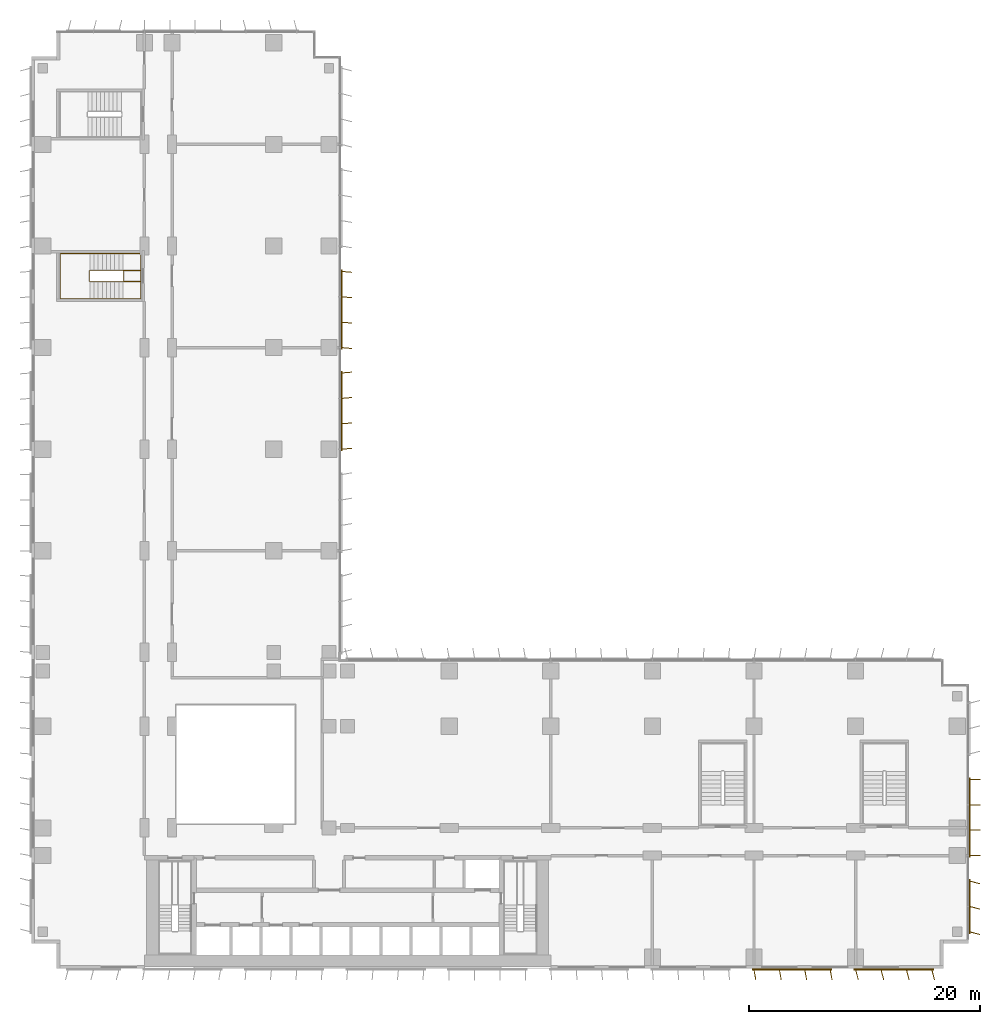
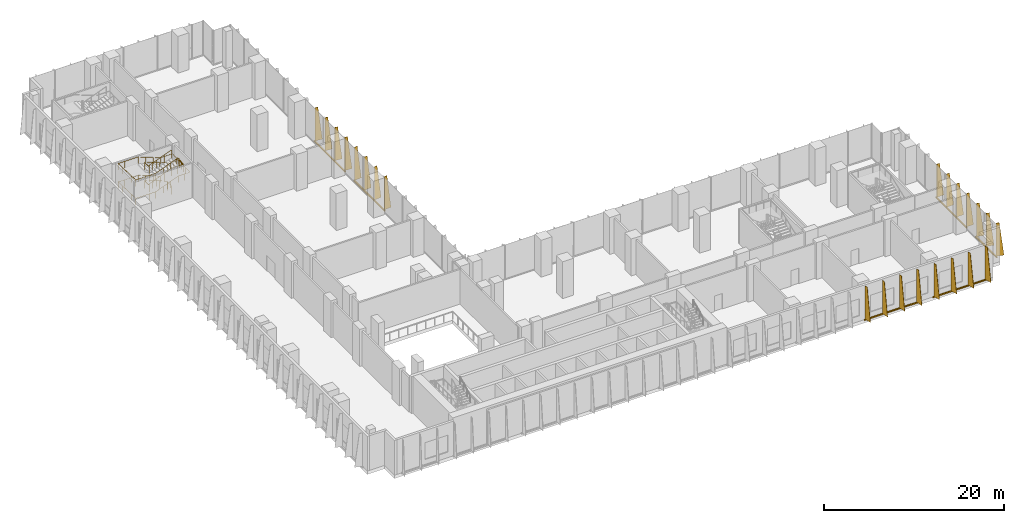
# One storey, part 21 of 23: 6 shading devices, 2 railings.
"""IFC4 building model written with IfcOpenShell, lengths in metres."""

from ifc_helpers import new_model, si_unit, direction, frame, origin, origin_2d, place, context, subcontext, project, spatial, polyline, rectangle, circle, outline, extrude, source, transform, mapped, material, layer, layer_set, type_object, element, save


model = new_model("IFC4")

# Units and contexts
model_context = context("Model", 3, precision=1e-05, world=origin(), true_north=direction((0.0, 1.0)))
body_context = subcontext(model_context, "Body", "Model", "MODEL_VIEW")
ifc_project = project(units=[si_unit("LENGTHUNIT", "METRE"), si_unit("AREAUNIT", "SQUARE_METRE"), si_unit("VOLUMEUNIT", "CUBIC_METRE"), si_unit("PLANEANGLEUNIT", "RADIAN"), si_unit("MASSUNIT", "GRAM", prefix="KILO")], contexts=[model_context])

# Site, building, storey
site_placement = place(None, origin())
site = spatial("IfcSite", under=ifc_project, at=site_placement, CompositionType="ELEMENT")
building_placement = place(site_placement, origin())
building = spatial("IfcBuilding", under=site, at=building_placement, Name="Kemantara Hotel Tower", CompositionType="ELEMENT")
storey_placement = place(building_placement, frame((0.0, 0.0, 71.0)))
storey = spatial("IfcBuildingStorey", under=building, at=storey_placement, Name="L16", CompositionType="ELEMENT", Elevation=71.0)

# Railings
ifc_material_1 = material(Name="Stainless steel balustrade", Category="steel")
railing_type_1 = type_object("IfcRailingType", Name="Stair guard 1100 mm", PredefinedType="GUARDRAIL", material=ifc_material_1)
railing_1_placement = place(storey_placement, frame((7.949951171875, 59.5, 5.0)))
element("IfcRailing", 1, at=railing_1_placement, inside=storey, type_object=railing_type_1, Name="L16 ST4 stair guard 1", PredefinedType="GUARDRAIL", context=body_context, shape_type="SweptSolid", body=[
    extrude(circle(Radius=0.02392578125, at=origin_2d()), frame((0.0, 0.0, 1.076171875), z_axis=(-0.932972064118, 0.0, -0.359948784656), x_axis=(0.0, -1.0, 0.0)), (0.0, 0.0, 1.0), 3.086669921875),
    extrude(circle(Radius=0.02392578125, at=origin_2d()), frame((-2.8798828125, 0.0, -0.03515625), z_axis=(-0.321014310373, 0.321014310373, -0.891010451718), x_axis=(-0.707106781187, -0.707106781187, 0.0)), (0.0, 0.0, 1.0), 0.156005859375),
    extrude(circle(Radius=0.02392578125, at=origin_2d()), frame((-2.929931640625, 0.050048828125, -0.173828125), z_axis=(0.0, 1.0, 0.0), x_axis=(-1.0, 0.0, 0.0)), (0.0, 0.0, 1.0), 0.89990234375),
    extrude(circle(Radius=0.02392578125, at=origin_2d()), frame((-2.929931640625, 0.949951171875, -0.173828125), z_axis=(0.707106781187, 0.707106781187, 0.0), x_axis=(-0.707106781187, 0.707106781187, 0.0)), (0.0, 0.0, 1.0), 0.07080078125),
    extrude(circle(Radius=0.02392578125, at=origin_2d()), frame((-2.8798828125, 1.0, -0.173828125), z_axis=(0.932972064118, 0.0, -0.359948784656), x_axis=(0.0, 1.0, 0.0)), (0.0, 0.0, 1.0), 3.086669921875),
    extrude(circle(Radius=0.02392578125, at=origin_2d()), frame((0.0, 1.0, -1.28515625), z_axis=(1.0, 0.0, 0.0), x_axis=(0.0, 1.0, 0.0)), (0.0, 0.0, 1.0), 1.530029296875),
    extrude(circle(Radius=0.02392578125, at=origin_2d()), frame((1.530029296875, 1.0, -1.28515625), z_axis=(0.0, -0.989476165601, -0.144695949172), x_axis=(1.0, 0.0, 0.0)), (0.0, 0.0, 1.0), 0.9599609375),
    extrude(circle(Radius=0.02392578125, at=origin_2d()), frame((1.530029296875, 0.050048828125, -1.423828125), z_axis=(-1.0, 0.0, 0.0), x_axis=(0.0, -1.0, 0.0)), (0.0, 0.0, 1.0), 1.47998046875),
    extrude(circle(Radius=0.02392578125, at=origin_2d()), frame((0.050048828125, 0.050048828125, -1.423828125), z_axis=(0.0, 1.0, 0.0), x_axis=(-1.0, 0.0, 0.0)), (0.0, 0.0, 1.0), 0.89990234375),
    extrude(circle(Radius=0.02392578125, at=origin_2d()), frame((0.050048828125, 0.949951171875, -1.423828125), z_axis=(1.0, 0.0, 0.0), x_axis=(0.0, 1.0, 0.0)), (0.0, 0.0, 1.0), 1.47998046875),
    extrude(circle(Radius=0.02392578125, at=origin_2d()), frame((1.530029296875, 0.949951171875, -1.423828125), z_axis=(0.0, -1.0, 0.0), x_axis=(1.0, 0.0, 0.0)), (0.0, 0.0, 1.0), 0.949951171875),
    extrude(circle(Radius=0.02392578125, at=origin_2d()), frame((1.530029296875, 0.0, -1.423828125), z_axis=(-1.0, 0.0, 0.0), x_axis=(0.0, -1.0, 0.0)), (0.0, 0.0, 1.0), 1.530029296875),
    extrude(circle(Radius=0.02392578125, at=origin_2d()), frame((0.0, 0.0, -1.423828125), z_axis=(-0.932972064118, 0.0, -0.359948784656), x_axis=(0.0, -1.0, 0.0)), (0.0, 0.0, 1.0), 3.086669921875),
    extrude(circle(Radius=0.02392578125, at=origin_2d()), frame((-2.8798828125, 0.0, -2.53515625), z_axis=(-0.321014310373, 0.321014310373, -0.891010451718), x_axis=(-0.707106781187, -0.707106781187, 0.0)), (0.0, 0.0, 1.0), 0.156005859375),
    extrude(circle(Radius=0.02392578125, at=origin_2d()), frame((-2.929931640625, 0.050048828125, -2.673828125), z_axis=(0.0, 1.0, 0.0), x_axis=(-1.0, 0.0, 0.0)), (0.0, 0.0, 1.0), 0.89990234375),
    extrude(circle(Radius=0.02392578125, at=origin_2d()), frame((-2.929931640625, 0.949951171875, -2.673828125), z_axis=(0.707106781187, 0.707106781187, 0.0), x_axis=(-0.707106781187, 0.707106781187, 0.0)), (0.0, 0.0, 1.0), 0.07080078125),
    extrude(circle(Radius=0.02392578125, at=origin_2d()), frame((-2.8798828125, 1.0, -2.673828125), z_axis=(0.932972064118, 0.0, -0.359948784656), x_axis=(0.0, 1.0, 0.0)), (0.0, 0.0, 1.0), 3.086669921875),
    extrude(circle(Radius=0.02392578125, at=origin_2d()), frame((0.0, 1.0, -3.78515625), z_axis=(0.321014310373, -0.321014310373, -0.891010451718), x_axis=(0.707106781187, 0.707106781187, 0.0)), (0.0, 0.0, 1.0), 0.156005859375),
    extrude(circle(Radius=0.02392578125, at=origin_2d()), frame((0.050048828125, 0.949951171875, -3.923828125), z_axis=(0.0, -1.0, 0.0), x_axis=(1.0, 0.0, 0.0)), (0.0, 0.0, 1.0), 0.89990234375),
    extrude(circle(Radius=0.02099609375, at=origin_2d()), origin(), (0.0, 0.0, 1.0), 1.052001953125),
    extrude(circle(Radius=0.02099609375, at=origin_2d()), frame((-0.9599609375, 0.0, -0.370361328125)), (0.0, 0.0, 1.0), 1.052001953125),
    extrude(circle(Radius=0.02099609375, at=origin_2d()), frame((-1.919921875, 0.0, -0.74072265625)), (0.0, 0.0, 1.0), 1.052001953125),
    extrude(circle(Radius=0.02099609375, at=origin_2d()), frame((-2.8798828125, 0.0, -1.111083984375)), (0.0, 0.0, 1.0), 1.052001953125),
    extrude(circle(Radius=0.02099609375, at=origin_2d()), frame((-2.929931640625, 0.050048828125, -1.25)), (0.0, 0.0, 1.0), 1.052001953125),
    extrude(circle(Radius=0.02099609375, at=origin_2d()), frame((-2.929931640625, 0.949951171875, -1.25)), (0.0, 0.0, 1.0), 1.052001953125),
    extrude(circle(Radius=0.02099609375, at=origin_2d()), frame((-2.8798828125, 1.0, -1.25)), (0.0, 0.0, 1.0), 1.052001953125),
    extrude(circle(Radius=0.02099609375, at=origin_2d()), frame((-1.919921875, 1.0, -1.620361328125)), (0.0, 0.0, 1.0), 1.052001953125),
    extrude(circle(Radius=0.02099609375, at=origin_2d()), frame((-0.9599609375, 1.0, -1.99072265625)), (0.0, 0.0, 1.0), 1.052001953125),
    extrude(circle(Radius=0.02099609375, at=origin_2d()), frame((0.0, 1.0, -2.361083984375)), (0.0, 0.0, 1.0), 1.052001953125),
    extrude(circle(Radius=0.02099609375, at=origin_2d()), frame((0.76513671875, 1.0, -2.361083984375)), (0.0, 0.0, 1.0), 1.052001953125),
    extrude(circle(Radius=0.02099609375, at=origin_2d()), frame((1.530029296875, 1.0, -2.361083984375)), (0.0, 0.0, 1.0), 1.052001953125),
    extrude(circle(Radius=0.02099609375, at=origin_2d()), frame((1.530029296875, 0.050048828125, -2.5)), (0.0, 0.0, 1.0), 1.052001953125),
    extrude(circle(Radius=0.02099609375, at=origin_2d()), frame((0.7900390625, 0.050048828125, -2.5)), (0.0, 0.0, 1.0), 1.052001953125),
    extrude(circle(Radius=0.02099609375, at=origin_2d()), frame((0.050048828125, 0.050048828125, -2.5)), (0.0, 0.0, 1.0), 1.052001953125),
    extrude(circle(Radius=0.02099609375, at=origin_2d()), frame((0.050048828125, 0.949951171875, -2.5)), (0.0, 0.0, 1.0), 1.052001953125),
    extrude(circle(Radius=0.02099609375, at=origin_2d()), frame((0.7900390625, 0.949951171875, -2.5)), (0.0, 0.0, 1.0), 1.052001953125),
    extrude(circle(Radius=0.02099609375, at=origin_2d()), frame((1.530029296875, 0.949951171875, -2.5)), (0.0, 0.0, 1.0), 1.052001953125),
    extrude(circle(Radius=0.02099609375, at=origin_2d()), frame((1.530029296875, 0.0, -2.5)), (0.0, 0.0, 1.0), 1.052001953125),
    extrude(circle(Radius=0.02099609375, at=origin_2d()), frame((0.76513671875, 0.0, -2.5)), (0.0, 0.0, 1.0), 1.052001953125),
    extrude(circle(Radius=0.02099609375, at=origin_2d()), frame((0.0, 0.0, -2.5)), (0.0, 0.0, 1.0), 1.052001953125),
    extrude(circle(Radius=0.02099609375, at=origin_2d()), frame((-0.9599609375, 0.0, -2.870361328125)), (0.0, 0.0, 1.0), 1.052001953125),
    extrude(circle(Radius=0.02099609375, at=origin_2d()), frame((-1.919921875, 0.0, -3.24072265625)), (0.0, 0.0, 1.0), 1.052001953125),
    extrude(circle(Radius=0.02099609375, at=origin_2d()), frame((-2.8798828125, 0.0, -3.611083984375)), (0.0, 0.0, 1.0), 1.052001953125),
    extrude(circle(Radius=0.02099609375, at=origin_2d()), frame((-2.929931640625, 0.050048828125, -3.75)), (0.0, 0.0, 1.0), 1.052001953125),
    extrude(circle(Radius=0.02099609375, at=origin_2d()), frame((-2.929931640625, 0.949951171875, -3.75)), (0.0, 0.0, 1.0), 1.052001953125),
    extrude(circle(Radius=0.02099609375, at=origin_2d()), frame((-2.8798828125, 1.0, -3.75)), (0.0, 0.0, 1.0), 1.052001953125),
    extrude(circle(Radius=0.02099609375, at=origin_2d()), frame((-1.919921875, 1.0, -4.120361328125)), (0.0, 0.0, 1.0), 1.052001953125),
    extrude(circle(Radius=0.02099609375, at=origin_2d()), frame((-0.9599609375, 1.0, -4.49072265625)), (0.0, 0.0, 1.0), 1.052001953125),
    extrude(circle(Radius=0.02099609375, at=origin_2d()), frame((0.0, 1.0, -4.861083984375)), (0.0, 0.0, 1.0), 1.052001953125),
    extrude(circle(Radius=0.02099609375, at=origin_2d()), frame((0.050048828125, 0.949951171875, -5.0)), (0.0, 0.0, 1.0), 1.052001953125),
    extrude(circle(Radius=0.02099609375, at=origin_2d()), frame((0.050048828125, 0.050048828125, -5.0)), (0.0, 0.0, 1.0), 1.052001953125),
])
railing_type_2 = type_object("IfcRailingType", Name="Stair handrail 900 mm", PredefinedType="HANDRAIL", material=ifc_material_1)
railing_2_placement = place(storey_placement, frame((7.949951171875, 61.949951171875, 0.138916015625)))
element("IfcRailing", 2, at=railing_2_placement, inside=storey, type_object=railing_type_2, Name="L16 ST4 stair handrail 1", PredefinedType="HANDRAIL", context=body_context, shape_type="SweptSolid", body=[
    extrude(circle(Radius=0.02392578125, at=origin_2d()), frame((0.0, 0.0, 0.8759765625), z_axis=(-0.932972064118, 0.0, 0.359948784656), x_axis=(0.0, -1.0, 0.0)), (0.0, 0.0, 1.0), 3.086669921875),
    extrude(circle(Radius=0.02392578125, at=origin_2d()), frame((-2.8798828125, 0.0, 1.98681640625), z_axis=(-1.0, 0.0, 0.0), x_axis=(0.0, -1.0, 0.0)), (0.0, 0.0, 1.0), 2.550048828125),
    extrude(circle(Radius=0.02392578125, at=origin_2d()), frame((-5.429931640625, 0.0, 1.98681640625), z_axis=(0.0, -0.999366197222, 0.035597806825), x_axis=(1.0, 0.0, 0.0)), (0.0, 0.0, 1.0), 3.90234375),
    extrude(circle(Radius=0.02392578125, at=origin_2d()), frame((-5.429931640625, -3.89990234375, 2.1259765625), z_axis=(1.0, 0.0, 0.0), x_axis=(0.0, 1.0, 0.0)), (0.0, 0.0, 1.0), 2.550048828125),
    extrude(circle(Radius=0.02392578125, at=origin_2d()), frame((-2.8798828125, -3.89990234375, 2.1259765625), z_axis=(0.932972064118, 0.0, 0.359948784656), x_axis=(0.0, 1.0, 0.0)), (0.0, 0.0, 1.0), 3.086669921875),
    extrude(circle(Radius=0.02392578125, at=origin_2d()), frame((0.0, -3.89990234375, 3.23681640625), z_axis=(1.0, 0.0, 0.0), x_axis=(0.0, 1.0, 0.0)), (0.0, 0.0, 1.0), 1.530029296875),
    extrude(circle(Radius=0.02392578125, at=origin_2d()), frame((1.530029296875, -3.89990234375, 3.23681640625), z_axis=(0.0, 0.999366197222, 0.035597806825), x_axis=(-1.0, 0.0, 0.0)), (0.0, 0.0, 1.0), 3.90234375),
    extrude(circle(Radius=0.02392578125, at=origin_2d()), frame((1.530029296875, 0.0, 3.3759765625), z_axis=(-1.0, 0.0, 0.0), x_axis=(0.0, -1.0, 0.0)), (0.0, 0.0, 1.0), 1.530029296875),
    extrude(circle(Radius=0.02392578125, at=origin_2d()), frame((0.0, 0.0, 3.3759765625), z_axis=(-0.932972064118, 0.0, 0.359948784656), x_axis=(0.0, -1.0, 0.0)), (0.0, 0.0, 1.0), 3.086669921875),
    extrude(circle(Radius=0.02392578125, at=origin_2d()), frame((-2.8798828125, 0.0, 4.48681640625), z_axis=(-1.0, 0.0, 0.0), x_axis=(0.0, -1.0, 0.0)), (0.0, 0.0, 1.0), 2.550048828125),
    extrude(circle(Radius=0.02392578125, at=origin_2d()), frame((-5.429931640625, 0.0, 4.48681640625), z_axis=(0.0, -0.999366197222, 0.035597806825), x_axis=(1.0, 0.0, 0.0)), (0.0, 0.0, 1.0), 3.90234375),
    extrude(circle(Radius=0.02392578125, at=origin_2d()), frame((-5.429931640625, -3.89990234375, 4.6259765625), z_axis=(1.0, 0.0, 0.0), x_axis=(0.0, 1.0, 0.0)), (0.0, 0.0, 1.0), 2.550048828125),
    extrude(circle(Radius=0.02392578125, at=origin_2d()), frame((-2.8798828125, -3.89990234375, 4.6259765625), z_axis=(0.932972064118, 0.0, 0.359948784656), x_axis=(0.0, 1.0, 0.0)), (0.0, 0.0, 1.0), 3.086669921875),
    extrude(circle(Radius=0.02099609375, at=origin_2d()), origin(), (0.0, 0.0, 1.0), 0.851806640625),
    extrude(circle(Radius=0.02099609375, at=origin_2d()), frame((-0.9599609375, 0.0, 0.370361328125)), (0.0, 0.0, 1.0), 0.851806640625),
    extrude(circle(Radius=0.02099609375, at=origin_2d()), frame((-1.919921875, 0.0, 0.74072265625)), (0.0, 0.0, 1.0), 0.851806640625),
    extrude(circle(Radius=0.02099609375, at=origin_2d()), frame((-2.8798828125, 0.0, 1.111083984375)), (0.0, 0.0, 1.0), 0.851806640625),
    extrude(circle(Radius=0.02099609375, at=origin_2d()), frame((-3.72998046875, 0.0, 1.111083984375)), (0.0, 0.0, 1.0), 0.851806640625),
    extrude(circle(Radius=0.02099609375, at=origin_2d()), frame((-4.579833984375, 0.0, 1.111083984375)), (0.0, 0.0, 1.0), 0.851806640625),
    extrude(circle(Radius=0.02099609375, at=origin_2d()), frame((-5.429931640625, 0.0, 1.111083984375)), (0.0, 0.0, 1.0), 0.851806640625),
    extrude(circle(Radius=0.02099609375, at=origin_2d()), frame((-5.429931640625, -0.97509765625, 1.145751953125)), (0.0, 0.0, 1.0), 0.851806640625),
    extrude(circle(Radius=0.02099609375, at=origin_2d()), frame((-5.429931640625, -1.949951171875, 1.1806640625)), (0.0, 0.0, 1.0), 0.851806640625),
    extrude(circle(Radius=0.02099609375, at=origin_2d()), frame((-5.429931640625, -2.9248046875, 1.21533203125)), (0.0, 0.0, 1.0), 0.851806640625),
    extrude(circle(Radius=0.02099609375, at=origin_2d()), frame((-5.429931640625, -3.89990234375, 1.25)), (0.0, 0.0, 1.0), 0.851806640625),
    extrude(circle(Radius=0.02099609375, at=origin_2d()), frame((-4.579833984375, -3.89990234375, 1.25)), (0.0, 0.0, 1.0), 0.851806640625),
    extrude(circle(Radius=0.02099609375, at=origin_2d()), frame((-3.72998046875, -3.89990234375, 1.25)), (0.0, 0.0, 1.0), 0.851806640625),
    extrude(circle(Radius=0.02099609375, at=origin_2d()), frame((-2.8798828125, -3.89990234375, 1.25)), (0.0, 0.0, 1.0), 0.851806640625),
    extrude(circle(Radius=0.02099609375, at=origin_2d()), frame((-1.919921875, -3.89990234375, 1.620361328125)), (0.0, 0.0, 1.0), 0.851806640625),
    extrude(circle(Radius=0.02099609375, at=origin_2d()), frame((-0.9599609375, -3.89990234375, 1.99072265625)), (0.0, 0.0, 1.0), 0.851806640625),
    extrude(circle(Radius=0.02099609375, at=origin_2d()), frame((0.0, -3.89990234375, 2.361083984375)), (0.0, 0.0, 1.0), 0.851806640625),
    extrude(circle(Radius=0.02099609375, at=origin_2d()), frame((0.76513671875, -3.89990234375, 2.361083984375)), (0.0, 0.0, 1.0), 0.851806640625),
    extrude(circle(Radius=0.02099609375, at=origin_2d()), frame((1.530029296875, -3.89990234375, 2.361083984375)), (0.0, 0.0, 1.0), 0.851806640625),
    extrude(circle(Radius=0.02099609375, at=origin_2d()), frame((1.530029296875, -2.9248046875, 2.395751953125)), (0.0, 0.0, 1.0), 0.851806640625),
    extrude(circle(Radius=0.02099609375, at=origin_2d()), frame((1.530029296875, -1.949951171875, 2.4306640625)), (0.0, 0.0, 1.0), 0.851806640625),
    extrude(circle(Radius=0.02099609375, at=origin_2d()), frame((1.530029296875, -0.97509765625, 2.46533203125)), (0.0, 0.0, 1.0), 0.851806640625),
    extrude(circle(Radius=0.02099609375, at=origin_2d()), frame((1.530029296875, 0.0, 2.5)), (0.0, 0.0, 1.0), 0.851806640625),
    extrude(circle(Radius=0.02099609375, at=origin_2d()), frame((0.76513671875, 0.0, 2.5)), (0.0, 0.0, 1.0), 0.851806640625),
    extrude(circle(Radius=0.02099609375, at=origin_2d()), frame((0.0, 0.0, 2.5)), (0.0, 0.0, 1.0), 0.851806640625),
    extrude(circle(Radius=0.02099609375, at=origin_2d()), frame((-0.9599609375, 0.0, 2.870361328125)), (0.0, 0.0, 1.0), 0.851806640625),
    extrude(circle(Radius=0.02099609375, at=origin_2d()), frame((-1.919921875, 0.0, 3.24072265625)), (0.0, 0.0, 1.0), 0.851806640625),
    extrude(circle(Radius=0.02099609375, at=origin_2d()), frame((-2.8798828125, 0.0, 3.611083984375)), (0.0, 0.0, 1.0), 0.851806640625),
    extrude(circle(Radius=0.02099609375, at=origin_2d()), frame((-3.72998046875, 0.0, 3.611083984375)), (0.0, 0.0, 1.0), 0.851806640625),
    extrude(circle(Radius=0.02099609375, at=origin_2d()), frame((-4.579833984375, 0.0, 3.611083984375)), (0.0, 0.0, 1.0), 0.851806640625),
    extrude(circle(Radius=0.02099609375, at=origin_2d()), frame((-5.429931640625, 0.0, 3.611083984375)), (0.0, 0.0, 1.0), 0.851806640625),
    extrude(circle(Radius=0.02099609375, at=origin_2d()), frame((-5.429931640625, -0.97509765625, 3.645751953125)), (0.0, 0.0, 1.0), 0.851806640625),
    extrude(circle(Radius=0.02099609375, at=origin_2d()), frame((-5.429931640625, -1.949951171875, 3.6806640625)), (0.0, 0.0, 1.0), 0.851806640625),
    extrude(circle(Radius=0.02099609375, at=origin_2d()), frame((-5.429931640625, -2.9248046875, 3.71533203125)), (0.0, 0.0, 1.0), 0.851806640625),
    extrude(circle(Radius=0.02099609375, at=origin_2d()), frame((-5.429931640625, -3.89990234375, 3.75)), (0.0, 0.0, 1.0), 0.851806640625),
    extrude(circle(Radius=0.02099609375, at=origin_2d()), frame((-4.579833984375, -3.89990234375, 3.75)), (0.0, 0.0, 1.0), 0.851806640625),
    extrude(circle(Radius=0.02099609375, at=origin_2d()), frame((-3.72998046875, -3.89990234375, 3.75)), (0.0, 0.0, 1.0), 0.851806640625),
    extrude(circle(Radius=0.02099609375, at=origin_2d()), frame((-2.8798828125, -3.89990234375, 3.75)), (0.0, 0.0, 1.0), 0.851806640625),
    extrude(circle(Radius=0.02099609375, at=origin_2d()), frame((-1.919921875, -3.89990234375, 4.120361328125)), (0.0, 0.0, 1.0), 0.851806640625),
    extrude(circle(Radius=0.02099609375, at=origin_2d()), frame((-0.9599609375, -3.89990234375, 4.49072265625)), (0.0, 0.0, 1.0), 0.851806640625),
    extrude(circle(Radius=0.02099609375, at=origin_2d()), frame((0.0, -3.89990234375, 4.861083984375)), (0.0, 0.0, 1.0), 0.851806640625),
])

# Shading devices
ifc_material_2 = material(Name="Perforated aluminium plate 4 mm bronze anodised", Category="aluminium")
ifc_layer_1 = layer(ifc_material_2, 0.0400390625)
ifc_layer_set_1 = layer_set([ifc_layer_1], Name="Perforated aluminium plate 4 mm bronze anodised")
shading_device_type_1 = type_object("IfcShadingDeviceType", Name="SCREEN FIN CASSETTE, 3 BLADES AT -15.0 DEG, 4500 HIGH", PredefinedType="USERDEFINED", material=ifc_layer_set_1)
shared_shape_1 = source(origin(), body_context, "Body", "SweptSolid", [
    extrude(rectangle(XDim=4.699951171875, YDim=0.14990234375, at=origin_2d()), frame((2.199951171875, -0.074951171875, -0.14990234375), z_axis=(0.0, 0.0, 1.0), x_axis=(1.0, 0.0, 0.0)), (0.0, 0.0, 1.0), 0.14990234375),
    extrude(outline(polyline([(0.0, 0.0), (0.89990234375, 0.0), (0.35009765625, 4.5), (0.0, 4.5), (0.0, 0.0)])), frame((0.019287109375, -0.080078125, 0.0), z_axis=(-0.966437683387, 0.256901156343, 0.0), x_axis=(-0.256901156343, -0.966437683387, 0.0)), (0.0, 0.0, 1.0), 0.039794921875),
    extrude(outline(polyline([(0.0, 0.0), (0.89990234375, 0.0), (0.35009765625, 4.5), (0.0, 4.5), (0.0, 0.0)])), frame((2.21923828125, -0.080078125, 0.0), z_axis=(-0.966437683387, 0.256901156343, 0.0), x_axis=(-0.256901156343, -0.966437683387, 0.0)), (0.0, 0.0, 1.0), 0.039794921875),
    extrude(outline(polyline([(0.0, 0.0), (0.89990234375, 0.0), (0.35009765625, 4.5), (0.0, 4.5), (0.0, 0.0)])), frame((4.41943359375, -0.080078125, 0.0), z_axis=(-0.966837822169, 0.255391122837, 0.0), x_axis=(-0.255391122837, -0.966837822169, 0.0)), (0.0, 0.0, 1.0), 0.0400390625),
])
shading_device_1_placement = place(storey_placement, frame((81.199951171875, 3.199951171875, 0.10009765625), z_axis=(0.0, 0.0, 1.0), x_axis=(0.0, 1.0, 0.0)))
element("IfcShadingDevice", 3, at=shading_device_1_placement, inside=storey, type_object=shading_device_type_1, Name="SCREEN FIN CASSETTE L16 T1-R04-1", ObjectType="SCREEN FIN", PredefinedType="USERDEFINED", context=body_context, shape_type="MappedRepresentation", body=[
    mapped(shared_shape_1, transform((0.0, 0.0, 0.0))),
])
ifc_layer_2 = layer(ifc_material_2, 0.0400390625)
ifc_layer_set_2 = layer_set([ifc_layer_2], Name="Perforated aluminium plate 4 mm bronze anodised")
shading_device_type_2 = type_object("IfcShadingDeviceType", Name="SCREEN FIN CASSETTE, 4 BLADES AT -5.0 DEG, 4500 HIGH", PredefinedType="USERDEFINED", material=ifc_layer_set_2)
shared_shape_2 = source(origin(), body_context, "Body", "SweptSolid", [
    extrude(rectangle(XDim=6.89990234375, YDim=0.14990234375, at=origin_2d()), frame((3.300048828125, -0.074951171875, -0.14990234375), z_axis=(0.0, 0.0, 1.0), x_axis=(1.0, 0.0, 0.0)), (0.0, 0.0, 1.0), 0.14990234375),
    extrude(outline(polyline([(0.0, 0.0), (0.89990234375, 0.0), (0.35009765625, 4.5), (0.0, 4.5), (0.0, 0.0)])), frame((0.02001953125, -0.07666015625, 0.0), z_axis=(-0.996376129781, 0.085056498884, 0.0), x_axis=(-0.085056498884, -0.996376129781, 0.0)), (0.0, 0.0, 1.0), 0.040283203125),
    extrude(outline(polyline([(0.0, 0.0), (0.89990234375, 0.0), (0.35009765625, 4.5), (0.0, 4.5), (0.0, 0.0)])), frame((2.219970703125, -0.07666015625, 0.0), z_axis=(-0.996331773833, 0.085574508182, 0.0), x_axis=(-0.085574508182, -0.996331773833, 0.0)), (0.0, 0.0, 1.0), 0.0400390625),
    extrude(outline(polyline([(0.0, 0.0), (0.89990234375, 0.0), (0.35009765625, 4.5), (0.0, 4.5), (0.0, 0.0)])), frame((4.419921875, -0.07666015625, 0.0), z_axis=(-0.996331773833, 0.085574508182, 0.0), x_axis=(-0.085574508182, -0.996331773833, 0.0)), (0.0, 0.0, 1.0), 0.0400390625),
    extrude(outline(polyline([(0.0, 0.0), (0.89990234375, 0.0), (0.35009765625, 4.5), (0.0, 4.5), (0.0, 0.0)])), frame((6.619873046875, -0.07666015625, 0.0), z_axis=(-0.996331773833, 0.085574508182, 0.0), x_axis=(-0.085574508182, -0.996331773833, 0.0)), (0.0, 0.0, 1.0), 0.0400390625),
])
shading_device_2_placement = place(storey_placement, frame((26.800048828125, 53.800048828125, 0.10009765625), z_axis=(0.0, 0.0, 1.0), x_axis=(0.0, 1.0, 0.0)))
element("IfcShadingDevice", 4, at=shading_device_2_placement, inside=storey, type_object=shading_device_type_2, Name="SCREEN FIN CASSETTE L16 T1-R08-4", ObjectType="SCREEN FIN", PredefinedType="USERDEFINED", context=body_context, shape_type="MappedRepresentation", body=[
    mapped(shared_shape_2, transform((0.0, 0.0, 0.0))),
])
ifc_layer_3 = layer(ifc_material_2, 0.0400390625)
ifc_layer_set_3 = layer_set([ifc_layer_3], Name="Perforated aluminium plate 4 mm bronze anodised")
shading_device_type_3 = type_object("IfcShadingDeviceType", Name="SCREEN FIN CASSETTE, 4 BLADES AT +0.0 DEG, 4500 HIGH", PredefinedType="USERDEFINED", material=ifc_layer_set_3)
shared_shape_3 = source(origin(), body_context, "Body", "SweptSolid", [
    extrude(rectangle(XDim=6.89990234375, YDim=0.14990234375, at=origin_2d()), frame((3.300048828125, -0.074951171875, -0.14990234375), z_axis=(0.0, 0.0, 1.0), x_axis=(1.0, 0.0, 0.0)), (0.0, 0.0, 1.0), 0.14990234375),
    extrude(outline(polyline([(0.0, 0.0), (0.89990234375, 0.0), (0.35009765625, 4.5), (0.0, 4.5), (0.0, 0.0)])), frame((0.02001953125, -0.074951171875, 0.0), z_axis=(-1.0, 0.0, 0.0), x_axis=(0.0, -1.0, 0.0)), (0.0, 0.0, 1.0), 0.0400390625),
    extrude(outline(polyline([(0.0, 0.0), (0.89990234375, 0.0), (0.35009765625, 4.5), (0.0, 4.5), (0.0, 0.0)])), frame((2.219970703125, -0.074951171875, 0.0), z_axis=(-1.0, 0.0, 0.0), x_axis=(0.0, -1.0, 0.0)), (0.0, 0.0, 1.0), 0.0400390625),
    extrude(outline(polyline([(0.0, 0.0), (0.89990234375, 0.0), (0.35009765625, 4.5), (0.0, 4.5), (0.0, 0.0)])), frame((4.419921875, -0.074951171875, 0.0), z_axis=(-1.0, 0.0, 0.0), x_axis=(0.0, -1.0, 0.0)), (0.0, 0.0, 1.0), 0.0400390625),
    extrude(outline(polyline([(0.0, 0.0), (0.89990234375, 0.0), (0.35009765625, 4.5), (0.0, 4.5), (0.0, 0.0)])), frame((6.6201171875, -0.074951171875, 0.0), z_axis=(-1.0, 0.0, 0.0), x_axis=(0.0, -1.0, 0.0)), (0.0, 0.0, 1.0), 0.0400390625),
])
shading_device_3_placement = place(storey_placement, frame((81.199951171875, 9.800048828125, 0.10009765625), z_axis=(0.0, 0.0, 1.0), x_axis=(0.0, 1.0, 0.0)))
element("IfcShadingDevice", 5, at=shading_device_3_placement, inside=storey, type_object=shading_device_type_3, Name="SCREEN FIN CASSETTE L16 T1-R04-2", ObjectType="SCREEN FIN", PredefinedType="USERDEFINED", context=body_context, shape_type="MappedRepresentation", body=[
    mapped(shared_shape_3, transform((0.0, 0.0, 0.0))),
])
ifc_layer_4 = layer(ifc_material_2, 0.0400390625)
ifc_layer_set_4 = layer_set([ifc_layer_4], Name="Perforated aluminium plate 4 mm bronze anodised")
shading_device_type_4 = type_object("IfcShadingDeviceType", Name="SCREEN FIN CASSETTE, 4 BLADES AT +5.0 DEG, 4500 HIGH", PredefinedType="USERDEFINED", material=ifc_layer_set_4)
shared_shape_4 = source(origin(), body_context, "Body", "SweptSolid", [
    extrude(rectangle(XDim=6.89990234375, YDim=0.14990234375, at=origin_2d()), frame((3.300048828125, -0.074951171875, -0.14990234375), z_axis=(0.0, 0.0, 1.0), x_axis=(1.0, 0.0, 0.0)), (0.0, 0.0, 1.0), 0.14990234375),
    extrude(outline(polyline([(0.0, 0.0), (0.89990234375, 0.0), (0.35009765625, 4.5), (0.0, 4.5), (0.0, 0.0)])), frame((0.02001953125, -0.0732421875, 0.0), z_axis=(-0.996376129781, -0.085056498884, 0.0), x_axis=(0.085056498884, -0.996376129781, 0.0)), (0.0, 0.0, 1.0), 0.040283203125),
    extrude(outline(polyline([(0.0, 0.0), (0.89990234375, 0.0), (0.35009765625, 4.5), (0.0, 4.5), (0.0, 0.0)])), frame((2.219970703125, -0.0732421875, 0.0), z_axis=(-0.996331773833, -0.085574508182, 0.0), x_axis=(0.085574508182, -0.996331773833, 0.0)), (0.0, 0.0, 1.0), 0.0400390625),
    extrude(outline(polyline([(0.0, 0.0), (0.89990234375, 0.0), (0.35009765625, 4.5), (0.0, 4.5), (0.0, 0.0)])), frame((4.419921875, -0.0732421875, 0.0), z_axis=(-0.996331773833, -0.085574508182, 0.0), x_axis=(0.085574508182, -0.996331773833, 0.0)), (0.0, 0.0, 1.0), 0.0400390625),
    extrude(outline(polyline([(0.0, 0.0), (0.89990234375, 0.0), (0.35009765625, 4.5), (0.0, 4.5), (0.0, 0.0)])), frame((6.619873046875, -0.0732421875, 0.0), z_axis=(-0.996331773833, -0.085574508182, 0.0), x_axis=(0.085574508182, -0.996331773833, 0.0)), (0.0, 0.0, 1.0), 0.0400390625),
])
shading_device_4_placement = place(storey_placement, frame((26.800048828125, 45.0, 0.10009765625), z_axis=(0.0, 0.0, 1.0), x_axis=(0.0, 1.0, 0.0)))
element("IfcShadingDevice", 6, at=shading_device_4_placement, inside=storey, type_object=shading_device_type_4, Name="SCREEN FIN CASSETTE L16 T1-R08-3", ObjectType="SCREEN FIN", PredefinedType="USERDEFINED", context=body_context, shape_type="MappedRepresentation", body=[
    mapped(shared_shape_4, transform((0.0, 0.0, 0.0))),
])
ifc_layer_5 = layer(ifc_material_2, 0.0400390625)
ifc_layer_set_5 = layer_set([ifc_layer_5], Name="Perforated aluminium plate 4 mm bronze anodised")
shading_device_type_5 = type_object("IfcShadingDeviceType", Name="SCREEN FIN CASSETTE, 4 BLADES AT +10.0 DEG, 4500 HIGH", PredefinedType="USERDEFINED", material=ifc_layer_set_5)
shared_shape_5 = source(origin(), body_context, "Body", "SweptSolid", [
    extrude(rectangle(XDim=6.89990234375, YDim=0.14990234375, at=origin_2d()), frame((3.300048828125, -0.074951171875, -0.14990234375), z_axis=(0.0, 0.0, 1.0), x_axis=(1.0, 0.0, 0.0)), (0.0, 0.0, 1.0), 0.14990234375),
    extrude(outline(polyline([(0.0, 0.0), (0.89990234375, 0.0), (0.35009765625, 4.5), (0.0, 4.5), (0.0, 0.0)])), frame((0.019775390625, -0.071533203125, 0.0), z_axis=(-0.985389793052, -0.170314285219, 0.0), x_axis=(0.170314285219, -0.985389793052, 0.0)), (0.0, 0.0, 1.0), 0.0400390625),
    extrude(outline(polyline([(0.0, 0.0), (0.89990234375, 0.0), (0.35009765625, 4.5), (0.0, 4.5), (0.0, 0.0)])), frame((2.2197265625, -0.071533203125, 0.0), z_axis=(-0.98521175482, -0.171341174751, 0.0), x_axis=(0.171341174751, -0.98521175482, 0.0)), (0.0, 0.0, 1.0), 0.039794921875),
    extrude(outline(polyline([(0.0, 0.0), (0.89990234375, 0.0), (0.35009765625, 4.5), (0.0, 4.5), (0.0, 0.0)])), frame((4.419677734375, -0.071533203125, 0.0), z_axis=(-0.98521175482, -0.171341174751, 0.0), x_axis=(0.171341174751, -0.98521175482, 0.0)), (0.0, 0.0, 1.0), 0.039794921875),
    extrude(outline(polyline([(0.0, 0.0), (0.89990234375, 0.0), (0.35009765625, 4.5), (0.0, 4.5), (0.0, 0.0)])), frame((6.61962890625, -0.071533203125, 0.0), z_axis=(-0.98521175482, -0.171341174751, 0.0), x_axis=(0.171341174751, -0.98521175482, 0.0)), (0.0, 0.0, 1.0), 0.039794921875),
])
shading_device_5_placement = place(storey_placement, frame((62.60009765625, 0.0, 0.10009765625), z_axis=(0.0, 0.0, 1.0), x_axis=(1.0, 0.0, 0.0)))
element("IfcShadingDevice", 7, at=shading_device_5_placement, inside=storey, type_object=shading_device_type_5, Name="SCREEN FIN CASSETTE L16 T1-R01-8", ObjectType="SCREEN FIN", PredefinedType="USERDEFINED", context=body_context, shape_type="MappedRepresentation", body=[
    mapped(shared_shape_5, transform((0.0, 0.0, 0.0))),
])
ifc_layer_6 = layer(ifc_material_2, 0.0400390625)
ifc_layer_set_6 = layer_set([ifc_layer_6], Name="Perforated aluminium plate 4 mm bronze anodised")
shading_device_type_6 = type_object("IfcShadingDeviceType", Name="SCREEN FIN CASSETTE, 4 BLADES AT +15.0 DEG, 4500 HIGH", PredefinedType="USERDEFINED", material=ifc_layer_set_6)
shared_shape_6 = source(origin(), body_context, "Body", "SweptSolid", [
    extrude(rectangle(XDim=6.89990234375, YDim=0.14990234375, at=origin_2d()), frame((3.300048828125, -0.074951171875, -0.14990234375), z_axis=(0.0, 0.0, 1.0), x_axis=(1.0, 0.0, 0.0)), (0.0, 0.0, 1.0), 0.14990234375),
    extrude(outline(polyline([(0.0, 0.0), (0.89990234375, 0.0), (0.35009765625, 4.5), (0.0, 4.5), (0.0, 0.0)])), frame((0.019287109375, -0.06982421875, 0.0), z_axis=(-0.966437683387, -0.256901156343, 0.0), x_axis=(0.256901156343, -0.966437683387, 0.0)), (0.0, 0.0, 1.0), 0.039794921875),
    extrude(outline(polyline([(0.0, 0.0), (0.89990234375, 0.0), (0.35009765625, 4.5), (0.0, 4.5), (0.0, 0.0)])), frame((2.21923828125, -0.06982421875, 0.0), z_axis=(-0.966437683387, -0.256901156343, 0.0), x_axis=(0.256901156343, -0.966437683387, 0.0)), (0.0, 0.0, 1.0), 0.039794921875),
    extrude(outline(polyline([(0.0, 0.0), (0.89990234375, 0.0), (0.35009765625, 4.5), (0.0, 4.5), (0.0, 0.0)])), frame((4.41943359375, -0.06982421875, 0.0), z_axis=(-0.966837822169, -0.255391122837, 0.0), x_axis=(0.255391122837, -0.966837822169, 0.0)), (0.0, 0.0, 1.0), 0.0400390625),
    extrude(outline(polyline([(0.0, 0.0), (0.89990234375, 0.0), (0.35009765625, 4.5), (0.0, 4.5), (0.0, 0.0)])), frame((6.619384765625, -0.06982421875, 0.0), z_axis=(-0.966837822169, -0.255391122837, 0.0), x_axis=(0.255391122837, -0.966837822169, 0.0)), (0.0, 0.0, 1.0), 0.0400390625),
])
shading_device_6_placement = place(storey_placement, frame((71.39990234375, 0.0, 0.10009765625), z_axis=(0.0, 0.0, 1.0), x_axis=(1.0, 0.0, 0.0)))
element("IfcShadingDevice", 8, at=shading_device_6_placement, inside=storey, type_object=shading_device_type_6, Name="SCREEN FIN CASSETTE L16 T1-R01-9", ObjectType="SCREEN FIN", PredefinedType="USERDEFINED", context=body_context, shape_type="MappedRepresentation", body=[
    mapped(shared_shape_6, transform((0.0, 0.0, 0.0))),
])

save(model, "model.ifc")
